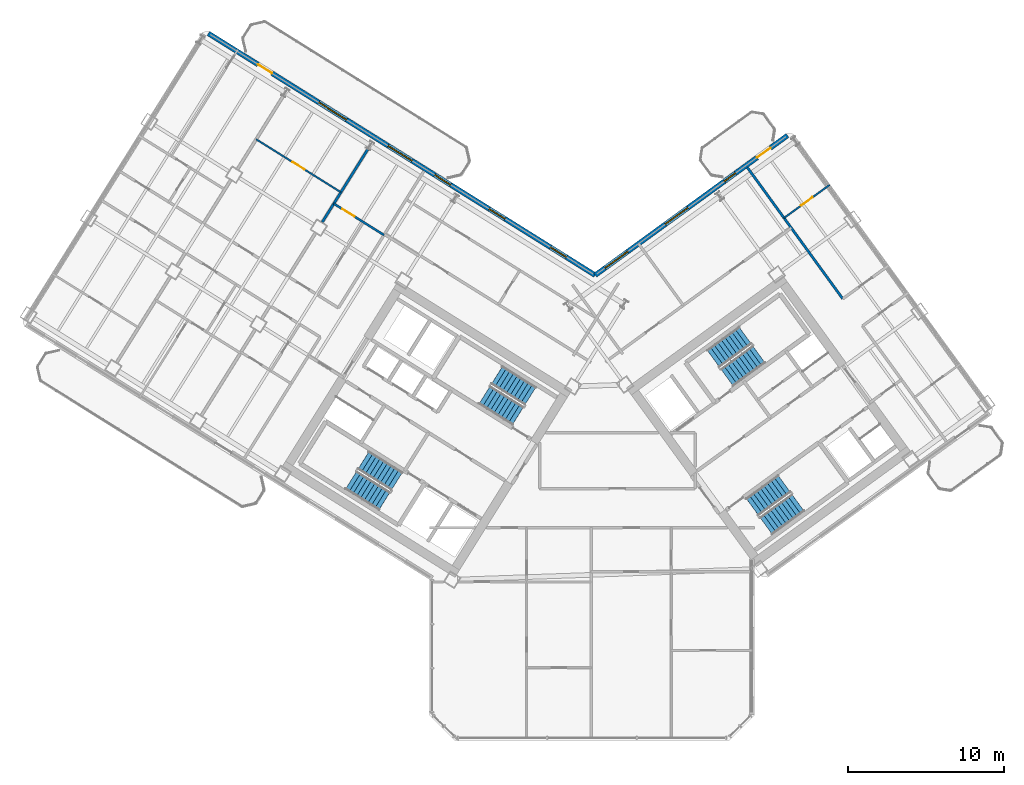
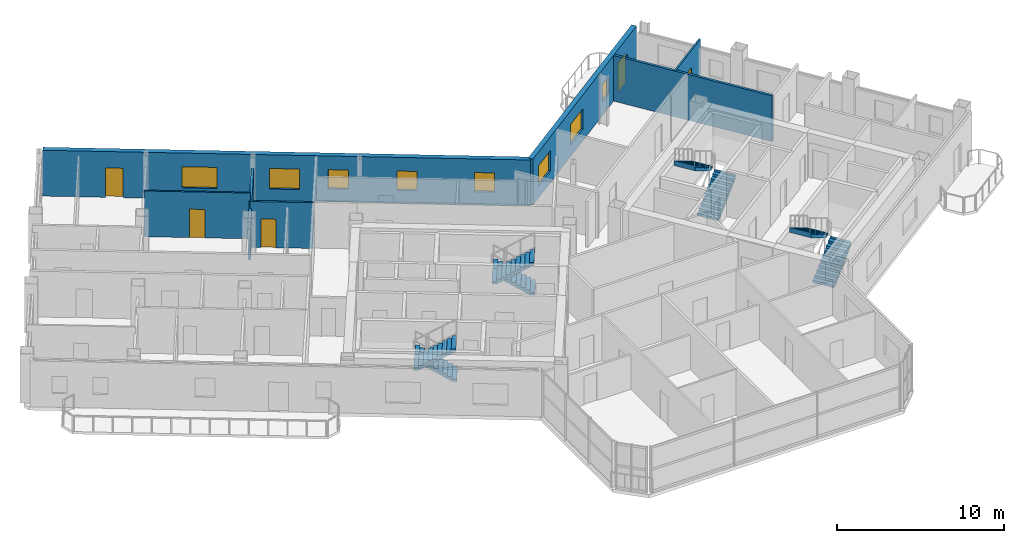
# One storey, part 16 of 21: 8 stair flights, 8 windows, 7 walls, 5 doors, 13 openings, 4 elements without a shape of their own.
"""IFC4 building model written with IfcOpenShell, lengths in metres."""

from ifc_helpers import new_model, si_unit, direction, frame, frame_2d, origin, place, context, subcontext, project, spatial, polyline, rectangle, outline, extrude, source, transform, mapped, material, layer, layer_set, type_object, element, fill, aggregate, save


model = new_model("IFC4")

# Units and contexts
model_context = context("Model", 3, precision=1e-05, world=origin(), true_north=direction((0.0, 1.0)))
body_context = subcontext(model_context, "Body", "Model", "MODEL_VIEW")
ifc_project = project(units=[si_unit("LENGTHUNIT", "METRE"), si_unit("AREAUNIT", "SQUARE_METRE"), si_unit("VOLUMEUNIT", "CUBIC_METRE"), si_unit("PLANEANGLEUNIT", "RADIAN"), si_unit("MASSUNIT", "GRAM", prefix="KILO")], contexts=[model_context])

# Site, building, storey
site_placement = place(None, origin())
site = spatial("IfcSite", under=ifc_project, at=site_placement, CompositionType="ELEMENT")
building_placement = place(site_placement, origin())
building = spatial("IfcBuilding", under=site, at=building_placement, Name="Tlacorven Tower", CompositionType="ELEMENT")
storey_placement = place(building_placement, frame((0.0, 0.0, 184.199951171875)))
storey = spatial("IfcBuildingStorey", under=building, at=storey_placement, Name="L46", CompositionType="ELEMENT", Elevation=184.199951171875)

# Walls
ifc_material_1 = material(Name="Gypsum plasterboard acoustic partition", Category="gypsum")
ifc_layer_1 = layer(ifc_material_1, 0.159912109375)
ifc_layer_set_1 = layer_set([ifc_layer_1], Name="Gypsum plasterboard acoustic partition")
wall_type_1 = type_object("IfcWallType", Name="WL-DEM-160", PredefinedType="PARTITIONING", material=ifc_layer_set_1)
wall_1_placement = place(storey_placement, frame((27.6337890625, 39.657470703125, 0.0), z_axis=(0.0, 0.0, 1.0), x_axis=(-0.529899205623, -0.848060629837, 0.0)))
element("IfcWall", 1, at=wall_1_placement, inside=storey, type_object=wall_type_1, Name="L46 WS Demising Wall 1", PredefinedType="PARTITIONING", context=body_context, shape_type="SweptSolid", body=[
    extrude(rectangle(XDim=5.501220703125, YDim=0.159912109375, at=frame_2d((2.75048828125, 0.0))), origin(), (0.0, 0.0, 1.0), 2.824951171875),
])
wall_2_placement = place(storey_placement, frame((58.06689453125, 30.080078125, 0.0), z_axis=(0.0, 0.0, 1.0), x_axis=(-0.587787785243, 0.809015154073, 0.0)))
element("IfcWall", 2, at=wall_2_placement, inside=storey, type_object=wall_type_1, Name="L46 partition 90", PredefinedType="PARTITIONING", context=body_context, shape_type="SweptSolid", body=[
    extrude(rectangle(XDim=10.400146484375, YDim=0.159912109375, at=frame_2d((5.2001953125, 0.0))), origin(), (0.0, 0.0, 1.0), 3.340087890625),
])

# Wall, openings, door, windows
ifc_material_2 = material(Name="Precast concrete C45/55", Category="concrete")
ifc_layer_2 = layer(ifc_material_2, 0.320068359375)
ifc_layer_set_2 = layer_set([ifc_layer_2], Name="Precast concrete C45/55")
wall_type_2 = type_object("IfcWallType", Name="WL-EXT-320", PredefinedType="STANDARD", material=ifc_layer_set_2)
wall_3_placement = place(storey_placement, frame((17.423828125, 47.083251953125, 0.0), z_axis=(0.0, 0.0, 1.0), x_axis=(0.848049927979, -0.529916332693, 0.0)))
wall_3 = element("IfcWall", 3, at=wall_3_placement, inside=storey, type_object=wall_type_2, Name="L46 Masonry-Frame Recessed Facade Wall 3", PredefinedType="STANDARD", context=body_context, shape_type="SweptSolid", body=[
    extrude(rectangle(XDim=29.22314453125, YDim=0.320068359375, at=frame_2d((14.611572265625, 0.0))), origin(), (0.0, 0.0, 1.0), 3.35009765625),
])
opening_1_placement = place(wall_3_placement, frame((3.763671875, 0.0, 0.0)))
opening_1 = element("IfcOpeningElement", 4, at=opening_1_placement, cuts=wall_3, Name="Opening D06", PredefinedType="OPENING", context=body_context, shape_type="SweptSolid", body=[
    extrude(rectangle(XDim=1.050048828125, YDim=2.14990234375, at=frame_2d((0.52490234375, 1.074951171875))), frame((0.0, 0.169921875, 0.0), z_axis=(0.0, -1.0, 0.0), x_axis=(1.0, 0.0, 0.0)), (0.0, 0.0, 1.0), 0.340087890625),
])
opening_2_placement = place(wall_3_placement, frame((8.34375, 0.0, 0.800048828125)))
opening_2 = element("IfcOpeningElement", 5, at=opening_2_placement, cuts=wall_3, Name="Opening WN04", PredefinedType="OPENING", context=body_context, shape_type="SweptSolid", body=[
    extrude(rectangle(XDim=2.10009765625, YDim=1.550048828125, at=frame_2d((1.050048828125, 0.77490234375))), frame((0.0, 0.169921875, 0.0), z_axis=(0.0, -1.0, 0.0), x_axis=(1.0, 0.0, 0.0)), (0.0, 0.0, 1.0), 0.340087890625),
])
opening_3_placement = place(wall_3_placement, frame((13.588623046875, 0.0, 0.85009765625)))
opening_3 = element("IfcOpeningElement", 6, at=opening_3_placement, cuts=wall_3, Name="Opening WN01", PredefinedType="OPENING", context=body_context, shape_type="SweptSolid", body=[
    extrude(rectangle(XDim=1.800048828125, YDim=1.5, at=frame_2d((0.89990234375, 0.75))), frame((0.0, 0.169921875, 0.0), z_axis=(0.0, -1.0, 0.0), x_axis=(1.0, 0.0, 0.0)), (0.0, 0.0, 1.0), 0.340087890625),
])
opening_4_placement = place(wall_3_placement, frame((17.103759765625, 0.0, 0.949951171875)))
opening_4 = element("IfcOpeningElement", 7, at=opening_4_placement, cuts=wall_3, Name="Opening WN03", PredefinedType="OPENING", context=body_context, shape_type="SweptSolid", body=[
    extrude(rectangle(XDim=1.199951171875, YDim=1.39990234375, at=frame_2d((0.60009765625, 0.699951171875))), frame((0.0, 0.169921875, 0.0), z_axis=(0.0, -1.0, 0.0), x_axis=(1.0, 0.0, 0.0)), (0.0, 0.0, 1.0), 0.340087890625),
])
opening_5_placement = place(wall_3_placement, frame((21.213623046875, 0.0, 0.949951171875)))
opening_5 = element("IfcOpeningElement", 8, at=opening_5_placement, cuts=wall_3, Name="Opening WN03", PredefinedType="OPENING", context=body_context, shape_type="SweptSolid", body=[
    extrude(rectangle(XDim=1.199951171875, YDim=1.39990234375, at=frame_2d((0.60009765625, 0.699951171875))), frame((0.0, 0.169921875, 0.0), z_axis=(0.0, -1.0, 0.0), x_axis=(1.0, 0.0, 0.0)), (0.0, 0.0, 1.0), 0.340087890625),
])
opening_6_placement = place(wall_3_placement, frame((25.853271484375, 0.0, 0.949951171875)))
opening_6 = element("IfcOpeningElement", 9, at=opening_6_placement, cuts=wall_3, Name="Opening WN03", PredefinedType="OPENING", context=body_context, shape_type="SweptSolid", body=[
    extrude(rectangle(XDim=1.199951171875, YDim=1.39990234375, at=frame_2d((0.60009765625, 0.699951171875))), frame((0.0, 0.169921875, 0.0), z_axis=(0.0, -1.0, 0.0), x_axis=(1.0, 0.0, 0.0)), (0.0, 0.0, 1.0), 0.340087890625),
])
ifc_material_3 = material(Name="Powder-coated aluminium and timber door", Category="wood")
door_type_1 = type_object("IfcDoorType", Name="DR-EXT-BALC-1050", OperationType="NOTDEFINED", PredefinedType="DOOR", material=ifc_material_3)
shared_shape_1 = source(origin(), body_context, "Body", "SweptSolid", [
    extrude(rectangle(XDim=1.050048828125, YDim=2.14990234375, at=frame_2d((0.52490234375, 1.074951171875))), frame((0.0, 0.02490234375, 0.0), z_axis=(0.0, -1.0, 0.0), x_axis=(1.0, 0.0, 0.0)), (0.0, 0.0, 1.0), 0.050048828125),
])
door_1_placement = place(opening_1_placement, origin())
door_1 = element("IfcDoor", 10, at=door_1_placement, inside=storey, type_object=door_type_1, Name="L46 Outdoor Access Door BAL-L46-W-IN", OperationType="SINGLE_SWING_RIGHT", OverallHeight=2.14990234375, OverallWidth=1.050048828125, PredefinedType="DOOR", context=body_context, shape_type="MappedRepresentation", body=[
    mapped(shared_shape_1, transform((0.0, 0.0, 0.0), scale=1.0)),
])
fill(opening_1, door_1)
ifc_material_4 = material(Name="Dark solar low-E double glazing in anodised aluminium frame", Category="aluminium")
window_type_1 = type_object("IfcWindowType", Name="WN-APT-2100X1750", PartitioningType="SINGLE_PANEL", PredefinedType="WINDOW", material=ifc_material_4)
shared_shape_2 = source(origin(), body_context, "Body", "SweptSolid", [
    extrude(rectangle(XDim=2.10009765625, YDim=1.550048828125, at=frame_2d((1.050048828125, 0.77490234375))), frame((0.0, 0.030029296875, 0.0), z_axis=(0.0, -1.0, 0.0), x_axis=(1.0, 0.0, 0.0)), (0.0, 0.0, 1.0), 0.06005859375),
])
window_1_placement = place(opening_2_placement, origin())
window_1 = element("IfcWindow", 11, at=window_1_placement, inside=storey, type_object=window_type_1, Name="L46 Recessed Masonry-Frame Window L46-03.1", OverallHeight=1.550048828125, OverallWidth=2.10009765625, PartitioningType="SINGLE_PANEL", PredefinedType="WINDOW", context=body_context, shape_type="MappedRepresentation", body=[
    mapped(shared_shape_2, transform((0.0, 0.0, 0.0), scale=1.0)),
])
fill(opening_2, window_1)
window_type_2 = type_object("IfcWindowType", Name="WN-APT-1200X1500", PartitioningType="SINGLE_PANEL", PredefinedType="WINDOW", material=ifc_material_4)
shared_shape_3 = source(origin(), body_context, "Body", "SweptSolid", [
    extrude(rectangle(XDim=1.199951171875, YDim=1.39990234375, at=frame_2d((0.60009765625, 0.699951171875))), frame((0.0, 0.030029296875, 0.0), z_axis=(0.0, -1.0, 0.0), x_axis=(1.0, 0.0, 0.0)), (0.0, 0.0, 1.0), 0.06005859375),
])
window_2_placement = place(opening_4_placement, origin())
window_2 = element("IfcWindow", 12, at=window_2_placement, inside=storey, type_object=window_type_2, Name="L46 Recessed Masonry-Frame Window L46-03.3", OverallHeight=1.39990234375, OverallWidth=1.199951171875, PartitioningType="SINGLE_PANEL", PredefinedType="WINDOW", context=body_context, shape_type="MappedRepresentation", body=[
    mapped(shared_shape_3, transform((0.0, 0.0, 0.0), scale=1.0)),
])
fill(opening_4, window_2)
window_3_placement = place(opening_5_placement, origin())
window_3 = element("IfcWindow", 13, at=window_3_placement, inside=storey, type_object=window_type_2, Name="L46 Recessed Masonry-Frame Window L46-03.4", OverallHeight=1.39990234375, OverallWidth=1.199951171875, PartitioningType="SINGLE_PANEL", PredefinedType="WINDOW", context=body_context, shape_type="MappedRepresentation", body=[
    mapped(shared_shape_3, transform((0.0, 0.0, 0.0), scale=1.0)),
])
fill(opening_5, window_3)
window_4_placement = place(opening_6_placement, origin())
window_4 = element("IfcWindow", 14, at=window_4_placement, inside=storey, type_object=window_type_2, Name="L46 Recessed Masonry-Frame Window L46-03.5", OverallHeight=1.39990234375, OverallWidth=1.199951171875, PartitioningType="SINGLE_PANEL", PredefinedType="WINDOW", context=body_context, shape_type="MappedRepresentation", body=[
    mapped(shared_shape_3, transform((0.0, 0.0, 0.0), scale=1.0)),
])
fill(opening_6, window_4)
window_type_3 = type_object("IfcWindowType", Name="WN-APT-1800X1650", PartitioningType="SINGLE_PANEL", PredefinedType="WINDOW", material=ifc_material_4)
shared_shape_4 = source(origin(), body_context, "Body", "SweptSolid", [
    extrude(rectangle(XDim=1.800048828125, YDim=1.5, at=frame_2d((0.89990234375, 0.75))), frame((0.0, 0.030029296875, 0.0), z_axis=(0.0, -1.0, 0.0), x_axis=(1.0, 0.0, 0.0)), (0.0, 0.0, 1.0), 0.06005859375),
])
window_5_placement = place(opening_3_placement, origin())
window_5 = element("IfcWindow", 15, at=window_5_placement, inside=storey, type_object=window_type_3, Name="L46 Recessed Masonry-Frame Window L46-03.2", OverallHeight=1.5, OverallWidth=1.800048828125, PartitioningType="SINGLE_PANEL", PredefinedType="WINDOW", context=body_context, shape_type="MappedRepresentation", body=[
    mapped(shared_shape_4, transform((0.0, 0.0, 0.0), scale=1.0)),
])
fill(opening_3, window_5)

wall_4_placement = place(storey_placement, frame((42.20654296875, 31.597412109375, 0.0), z_axis=(0.0, 0.0, 1.0), x_axis=(0.809020333377, 0.587780656523, 0.0)))
wall_4 = element("IfcWall", 16, at=wall_4_placement, inside=storey, type_object=wall_type_2, Name="L46 Masonry-Frame Recessed Facade Wall 4", PredefinedType="STANDARD", context=body_context, shape_type="SweptSolid", body=[
    extrude(rectangle(XDim=15.222900390625, YDim=0.320068359375, at=frame_2d((7.611328125, 0.0))), origin(), (0.0, 0.0, 1.0), 3.35009765625),
])
opening_7_placement = place(wall_4_placement, frame((12.81982421875, 0.0, 0.0)))
opening_7 = element("IfcOpeningElement", 17, at=opening_7_placement, cuts=wall_4, Name="Opening D06", PredefinedType="OPENING", context=body_context, shape_type="SweptSolid", body=[
    extrude(rectangle(XDim=1.050048828125, YDim=2.14990234375, at=frame_2d((0.52490234375, 1.074951171875))), frame((0.0, 0.169921875, 0.0), z_axis=(0.0, -1.0, 0.0), x_axis=(1.0, 0.0, 0.0)), (0.0, 0.0, 1.0), 0.340087890625),
])
opening_8_placement = place(wall_4_placement, frame((0.774658203125, 0.0, 0.85009765625)))
opening_8 = element("IfcOpeningElement", 18, at=opening_8_placement, cuts=wall_4, Name="Opening WN01", PredefinedType="OPENING", context=body_context, shape_type="SweptSolid", body=[
    extrude(rectangle(XDim=1.800048828125, YDim=1.5, at=frame_2d((0.89990234375, 0.75))), frame((0.0, 0.169921875, 0.0), z_axis=(0.0, -1.0, 0.0), x_axis=(1.0, 0.0, 0.0)), (0.0, 0.0, 1.0), 0.340087890625),
])
opening_9_placement = place(wall_4_placement, frame((5.54443359375, 0.0, 0.85009765625)))
opening_9 = element("IfcOpeningElement", 19, at=opening_9_placement, cuts=wall_4, Name="Opening WN01", PredefinedType="OPENING", context=body_context, shape_type="SweptSolid", body=[
    extrude(rectangle(XDim=1.800048828125, YDim=1.5, at=frame_2d((0.89990234375, 0.75))), frame((0.0, 0.169921875, 0.0), z_axis=(0.0, -1.0, 0.0), x_axis=(1.0, 0.0, 0.0)), (0.0, 0.0, 1.0), 0.340087890625),
])
opening_10_placement = place(wall_4_placement, frame((10.219482421875, 0.0, 1.0)))
opening_10 = element("IfcOpeningElement", 20, at=opening_10_placement, cuts=wall_4, Name="Opening WN05", PredefinedType="OPENING", context=body_context, shape_type="SweptSolid", body=[
    extrude(rectangle(XDim=0.89990234375, YDim=1.25, at=frame_2d((0.449951171875, 0.625))), frame((0.0, 0.169921875, 0.0), z_axis=(0.0, -1.0, 0.0), x_axis=(1.0, 0.0, 0.0)), (0.0, 0.0, 1.0), 0.340087890625),
])
door_2_placement = place(opening_7_placement, origin())
door_2 = element("IfcDoor", 21, at=door_2_placement, inside=storey, type_object=door_type_1, Name="L46 Outdoor Access Door BAL-L46-E-IN", OperationType="SINGLE_SWING_RIGHT", OverallHeight=2.14990234375, OverallWidth=1.050048828125, PredefinedType="DOOR", context=body_context, shape_type="MappedRepresentation", body=[
    mapped(shared_shape_1, transform((0.0, 0.0, 0.0), scale=1.0)),
])
fill(opening_7, door_2)
window_6_placement = place(opening_8_placement, origin())
window_6 = element("IfcWindow", 22, at=window_6_placement, inside=storey, type_object=window_type_3, Name="L46 Recessed Masonry-Frame Window L46-04.1", OverallHeight=1.5, OverallWidth=1.800048828125, PartitioningType="SINGLE_PANEL", PredefinedType="WINDOW", context=body_context, shape_type="MappedRepresentation", body=[
    mapped(shared_shape_4, transform((0.0, 0.0, 0.0), scale=1.0)),
])
fill(opening_8, window_6)
window_7_placement = place(opening_9_placement, origin())
window_7 = element("IfcWindow", 23, at=window_7_placement, inside=storey, type_object=window_type_3, Name="L46 Recessed Masonry-Frame Window L46-04.2", OverallHeight=1.5, OverallWidth=1.800048828125, PartitioningType="SINGLE_PANEL", PredefinedType="WINDOW", context=body_context, shape_type="MappedRepresentation", body=[
    mapped(shared_shape_4, transform((0.0, 0.0, 0.0), scale=1.0)),
])
fill(opening_9, window_7)
window_type_4 = type_object("IfcWindowType", Name="WN-APT-0900X1350", PartitioningType="SINGLE_PANEL", PredefinedType="WINDOW", material=ifc_material_4)
shared_shape_5 = source(origin(), body_context, "Body", "SweptSolid", [
    extrude(rectangle(XDim=0.89990234375, YDim=1.25, at=frame_2d((0.449951171875, 0.625))), frame((0.0, 0.030029296875, 0.0), z_axis=(0.0, -1.0, 0.0), x_axis=(1.0, 0.0, 0.0)), (0.0, 0.0, 1.0), 0.06005859375),
])
window_8_placement = place(opening_10_placement, origin())
window_8 = element("IfcWindow", 24, at=window_8_placement, inside=storey, type_object=window_type_4, Name="L46 Recessed Masonry-Frame Window L46-04.3", OverallHeight=1.25, OverallWidth=0.89990234375, PartitioningType="SINGLE_PANEL", PredefinedType="WINDOW", context=body_context, shape_type="MappedRepresentation", body=[
    mapped(shared_shape_5, transform((0.0, 0.0, 0.0), scale=1.0)),
])
fill(opening_10, window_8)

# Wall, opening, door
ifc_material_5 = material(Name="Gypsum plasterboard partition", Category="gypsum")
ifc_layer_3 = layer(ifc_material_5, 0.110107421875)
ifc_layer_set_3 = layer_set([ifc_layer_3], Name="Gypsum plasterboard partition")
wall_type_3 = type_object("IfcWallType", Name="WL-INT-110", PredefinedType="PARTITIONING", material=ifc_layer_set_3)
wall_5_placement = place(storey_placement, frame((25.916259765625, 36.908935546875, 0.0), z_axis=(0.0, 0.0, 1.0), x_axis=(-0.848056163074, 0.529906354247, 0.0)))
wall_5 = element("IfcWall", 25, at=wall_5_placement, inside=storey, type_object=wall_type_3, Name="L46 partition 62", PredefinedType="PARTITIONING", context=body_context, shape_type="SweptSolid", body=[
    extrude(rectangle(XDim=6.39990234375, YDim=0.110107421875, at=frame_2d((3.199951171875, 0.0))), origin(), (0.0, 0.0, 1.0), 3.340087890625),
])
opening_11_placement = place(wall_5_placement, frame((2.739990234375, 0.0, 0.0)))
opening_11 = element("IfcOpeningElement", 26, at=opening_11_placement, cuts=wall_5, Name="Opening D12", PredefinedType="OPENING", context=body_context, shape_type="SweptSolid", body=[
    extrude(rectangle(XDim=0.919921875, YDim=2.080078125, at=frame_2d((0.4599609375, 1.0400390625))), frame((0.0, 0.06494140625, 0.0), z_axis=(0.0, -1.0, 0.0), x_axis=(1.0, 0.0, 0.0)), (0.0, 0.0, 1.0), 0.130126953125),
])
door_type_2 = type_object("IfcDoorType", Name="DR-INT-ROOM-0920", OperationType="NOTDEFINED", PredefinedType="DOOR", material=ifc_material_3)
shared_shape_6 = source(origin(), body_context, "Body", "SweptSolid", [
    extrude(rectangle(XDim=0.919921875, YDim=2.080078125, at=frame_2d((0.4599609375, 1.0400390625))), frame((0.0, 0.02490234375, 0.0), z_axis=(0.0, -1.0, 0.0), x_axis=(1.0, 0.0, 0.0)), (0.0, 0.0, 1.0), 0.050048828125),
])
door_3_placement = place(opening_11_placement, origin())
door_3 = element("IfcDoor", 27, at=door_3_placement, inside=storey, type_object=door_type_2, Name="L46 door 035", OperationType="SINGLE_SWING_RIGHT", OverallHeight=2.080078125, OverallWidth=0.919921875, PredefinedType="DOOR", context=body_context, shape_type="MappedRepresentation", body=[
    mapped(shared_shape_6, transform((0.0, 0.0, 0.0), scale=1.0)),
])
fill(opening_11, door_3)

wall_6_placement = place(storey_placement, frame((54.3037109375, 35.25927734375, 0.0), z_axis=(0.0, 0.0, 1.0), x_axis=(0.809005039917, 0.58780170584, 0.0)))
wall_6 = element("IfcWall", 28, at=wall_6_placement, inside=storey, type_object=wall_type_3, Name="L46 partition 94", PredefinedType="PARTITIONING", context=body_context, shape_type="SweptSolid", body=[
    extrude(rectangle(XDim=3.610107421875, YDim=0.110107421875, at=frame_2d((1.80517578125, 0.0))), origin(), (0.0, 0.0, 1.0), 3.340087890625),
])
opening_12_placement = place(wall_6_placement, frame((1.344970703125, 0.0, 0.0)))
opening_12 = element("IfcOpeningElement", 29, at=opening_12_placement, cuts=wall_6, Name="Opening D12", PredefinedType="OPENING", context=body_context, shape_type="SweptSolid", body=[
    extrude(rectangle(XDim=0.919921875, YDim=2.080078125, at=frame_2d((0.4599609375, 1.0400390625))), frame((0.0, 0.06494140625, 0.0), z_axis=(0.0, -1.0, 0.0), x_axis=(1.0, 0.0, 0.0)), (0.0, 0.0, 1.0), 0.130126953125),
])
door_4_placement = place(opening_12_placement, origin())
door_4 = element("IfcDoor", 30, at=door_4_placement, inside=storey, type_object=door_type_2, Name="L46 door 059", OperationType="SINGLE_SWING_RIGHT", OverallHeight=2.080078125, OverallWidth=0.919921875, PredefinedType="DOOR", context=body_context, shape_type="MappedRepresentation", body=[
    mapped(shared_shape_6, transform((0.0, 0.0, 0.0), scale=1.0)),
])
fill(opening_12, door_4)

ifc_material_6 = material(Name="Moisture-resistant gypsum plumbing wall", Category="gypsum")
ifc_layer_4 = layer(ifc_material_6, 0.139892578125)
ifc_layer_set_4 = layer_set([ifc_layer_4], Name="Moisture-resistant gypsum plumbing wall")
wall_type_4 = type_object("IfcWallType", Name="WL-PLM-140", PredefinedType="PLUMBINGWALL", material=ifc_layer_set_4)
wall_7_placement = place(storey_placement, frame((28.673583984375, 34.16943359375, 0.0), z_axis=(0.0, 0.0, 1.0), x_axis=(-0.848059820872, 0.529900500304, 0.0)))
wall_7 = element("IfcWall", 31, at=wall_7_placement, inside=storey, type_object=wall_type_4, Name="L46 partition 59", PredefinedType="PLUMBINGWALL", context=body_context, shape_type="SweptSolid", body=[
    extrude(rectangle(XDim=3.7900390625, YDim=0.139892578125, at=frame_2d((1.89501953125, 0.0))), origin(), (0.0, 0.0, 1.0), 3.340087890625),
])
opening_13_placement = place(wall_7_placement, frame((2.22998046875, 0.0, 0.0)))
opening_13 = element("IfcOpeningElement", 32, at=opening_13_placement, cuts=wall_7, Name="Opening D12", PredefinedType="OPENING", context=body_context, shape_type="SweptSolid", body=[
    extrude(rectangle(XDim=0.919921875, YDim=2.080078125, at=frame_2d((0.4599609375, 1.0400390625))), frame((0.0, 0.080078125, 0.0), z_axis=(0.0, -1.0, 0.0), x_axis=(1.0, 0.0, 0.0)), (0.0, 0.0, 1.0), 0.159912109375),
])
door_5_placement = place(opening_13_placement, origin())
door_5 = element("IfcDoor", 33, at=door_5_placement, inside=storey, type_object=door_type_2, Name="L46 door 032", OperationType="SINGLE_SWING_LEFT", OverallHeight=2.080078125, OverallWidth=0.919921875, PredefinedType="DOOR", context=body_context, shape_type="MappedRepresentation", body=[
    mapped(shared_shape_6, transform((0.0, 0.0, 0.0), scale=1.0)),
])
fill(opening_13, door_5)

# Stair, stair flights
ifc_material_7 = material(Name="Concrete C40/50", Category="concrete")
stair_type = type_object("IfcStairType", Name="ST-CORE-DLG", PredefinedType="HALF_TURN_STAIR", material=ifc_material_7)
stair_1_placement = place(storey_placement, origin())
stair_1 = element("IfcStair", 34, at=stair_1_placement, inside=storey, type_object=stair_type, Name="L46 Protected Exit Stair West 1", PredefinedType="HALF_TURN_STAIR")
stair_flight_type = type_object("IfcStairFlightType", Name="SFL-RC-1380", PredefinedType="STRAIGHT", material=ifc_material_7)
shared_shape_7 = source(origin(), body_context, "Body", "SweptSolid", [
    extrude(outline(polyline([(-0.0029296875, -0.0029296875), (-0.0029296875, 0.179931640625), (0.280029296875, 0.179931640625), (0.280029296875, 0.360107421875), (0.56005859375, 0.360107421875), (0.56005859375, 0.5400390625), (0.840087890625, 0.5400390625), (0.840087890625, 0.719970703125), (1.1201171875, 0.719970703125), (1.1201171875, 0.89990234375), (1.39990234375, 0.89990234375), (1.39990234375, 1.080078125), (1.679931640625, 1.080078125), (1.679931640625, 1.260009765625), (1.9599609375, 1.260009765625), (1.9599609375, 1.43994140625), (2.239990234375, 1.43994140625), (2.239990234375, 1.6201171875), (2.52001953125, 1.6201171875), (2.52001953125, 1.800048828125), (2.52294921875, 1.800048828125), (2.52294921875, 1.429931640625), (2.52001953125, 1.429931640625), (0.295654296875, 0.0), (0.295654296875, -0.0029296875), (-0.0029296875, -0.0029296875)])), frame((0.0, 0.68994140625, 0.0), z_axis=(0.0, -1.0, 0.0), x_axis=(1.0, 0.0, 0.0)), (0.0, 0.0, 1.0), 1.3798828125),
])
stair_flight_1_placement = place(storey_placement, frame((29.499755859375, 18.39453125, 0.0), z_axis=(0.0, 0.0, 1.0), x_axis=(-0.848048096156, 0.529919264233, 0.0)))
stair_flight_1 = element("IfcStairFlight", 35, at=stair_flight_1_placement, type_object=stair_flight_type, Name="ST-W1 flight 1", NumberOfRisers=10, NumberOfTreads=9, PredefinedType="STRAIGHT", RiserHeight=0.18, TreadLength=0.28, context=body_context, shape_type="MappedRepresentation", body=[
    mapped(shared_shape_7, transform((0.0, 0.0, 0.0), scale=1.0)),
])
stair_flight_2_placement = place(storey_placement, frame((26.56787109375, 18.4580078125, 1.800048828125), z_axis=(0.0, 0.0, 1.0), x_axis=(0.848048096156, -0.529919264233, 0.0)))
stair_flight_2 = element("IfcStairFlight", 36, at=stair_flight_2_placement, type_object=stair_flight_type, Name="ST-W1 flight 2", NumberOfRisers=10, NumberOfTreads=9, PredefinedType="STRAIGHT", RiserHeight=0.18, TreadLength=0.28, context=body_context, shape_type="MappedRepresentation", body=[
    mapped(shared_shape_7, transform((0.0, 0.0, 0.0), scale=1.0)),
])
aggregate(stair_1, [stair_flight_1, stair_flight_2])

stair_2_placement = place(storey_placement, origin())
stair_2 = element("IfcStair", 37, at=stair_2_placement, inside=storey, type_object=stair_type, Name="L46 Protected Exit Stair West 2", PredefinedType="HALF_TURN_STAIR")
stair_flight_3_placement = place(storey_placement, frame((38.051513671875, 23.852294921875, 0.0), z_axis=(0.0, 0.0, 1.0), x_axis=(-0.848048096156, 0.529919264233, 0.0)))
stair_flight_3 = element("IfcStairFlight", 38, at=stair_flight_3_placement, type_object=stair_flight_type, Name="ST-W2 flight 1", NumberOfRisers=10, NumberOfTreads=9, PredefinedType="STRAIGHT", RiserHeight=0.18, TreadLength=0.28, context=body_context, shape_type="MappedRepresentation", body=[
    mapped(shared_shape_7, transform((0.0, 0.0, 0.0), scale=1.0)),
])
stair_flight_4_placement = place(storey_placement, frame((35.119384765625, 23.91552734375, 1.800048828125), z_axis=(0.0, 0.0, 1.0), x_axis=(0.848048096156, -0.529919264233, 0.0)))
stair_flight_4 = element("IfcStairFlight", 39, at=stair_flight_4_placement, type_object=stair_flight_type, Name="ST-W2 flight 2", NumberOfRisers=10, NumberOfTreads=9, PredefinedType="STRAIGHT", RiserHeight=0.18, TreadLength=0.28, context=body_context, shape_type="MappedRepresentation", body=[
    mapped(shared_shape_7, transform((0.0, 0.0, 0.0), scale=1.0)),
])
aggregate(stair_2, [stair_flight_3, stair_flight_4])

stair_3_placement = place(storey_placement, origin())
stair_3 = element("IfcStair", 40, at=stair_3_placement, inside=storey, type_object=stair_type, Name="L46 Protected Exit Stair East 1", PredefinedType="HALF_TURN_STAIR")
stair_flight_5_placement = place(storey_placement, frame((50.6533203125, 25.0400390625, 0.0), z_axis=(0.0, 0.0, 1.0), x_axis=(0.809016994375, 0.587785252292, 0.0)))
stair_flight_5 = element("IfcStairFlight", 41, at=stair_flight_5_placement, type_object=stair_flight_type, Name="ST-E1 flight 1", NumberOfRisers=10, NumberOfTreads=9, PredefinedType="STRAIGHT", RiserHeight=0.18, TreadLength=0.28, context=body_context, shape_type="MappedRepresentation", body=[
    mapped(shared_shape_7, transform((0.0, 0.0, 0.0), scale=1.0)),
])
stair_flight_6_placement = place(storey_placement, frame((51.810546875, 27.734619140625, 1.800048828125), z_axis=(0.0, 0.0, 1.0), x_axis=(-0.809016994375, -0.587785252292, 0.0)))
stair_flight_6 = element("IfcStairFlight", 42, at=stair_flight_6_placement, type_object=stair_flight_type, Name="ST-E1 flight 2", NumberOfRisers=10, NumberOfTreads=9, PredefinedType="STRAIGHT", RiserHeight=0.18, TreadLength=0.28, context=body_context, shape_type="MappedRepresentation", body=[
    mapped(shared_shape_7, transform((0.0, 0.0, 0.0), scale=1.0)),
])
aggregate(stair_3, [stair_flight_5, stair_flight_6])

stair_4_placement = place(storey_placement, origin())
stair_4 = element("IfcStair", 43, at=stair_4_placement, inside=storey, type_object=stair_type, Name="L46 Protected Exit Stair East 2", PredefinedType="HALF_TURN_STAIR")
stair_flight_7_placement = place(storey_placement, frame((53.157470703125, 15.536865234375, 0.0), z_axis=(0.0, 0.0, 1.0), x_axis=(0.809016994375, 0.587785252292, 0.0)))
stair_flight_7 = element("IfcStairFlight", 44, at=stair_flight_7_placement, type_object=stair_flight_type, Name="ST-E2 flight 1", NumberOfRisers=10, NumberOfTreads=9, PredefinedType="STRAIGHT", RiserHeight=0.18, TreadLength=0.28, context=body_context, shape_type="MappedRepresentation", body=[
    mapped(shared_shape_7, transform((0.0, 0.0, 0.0), scale=1.0)),
])
stair_flight_8_placement = place(storey_placement, frame((54.314453125, 18.231689453125, 1.800048828125), z_axis=(0.0, 0.0, 1.0), x_axis=(-0.809016994375, -0.587785252292, 0.0)))
stair_flight_8 = element("IfcStairFlight", 45, at=stair_flight_8_placement, type_object=stair_flight_type, Name="ST-E2 flight 2", NumberOfRisers=10, NumberOfTreads=9, PredefinedType="STRAIGHT", RiserHeight=0.18, TreadLength=0.28, context=body_context, shape_type="MappedRepresentation", body=[
    mapped(shared_shape_7, transform((0.0, 0.0, 0.0), scale=1.0)),
])
aggregate(stair_4, [stair_flight_7, stair_flight_8])

save(model, "model.ifc")
